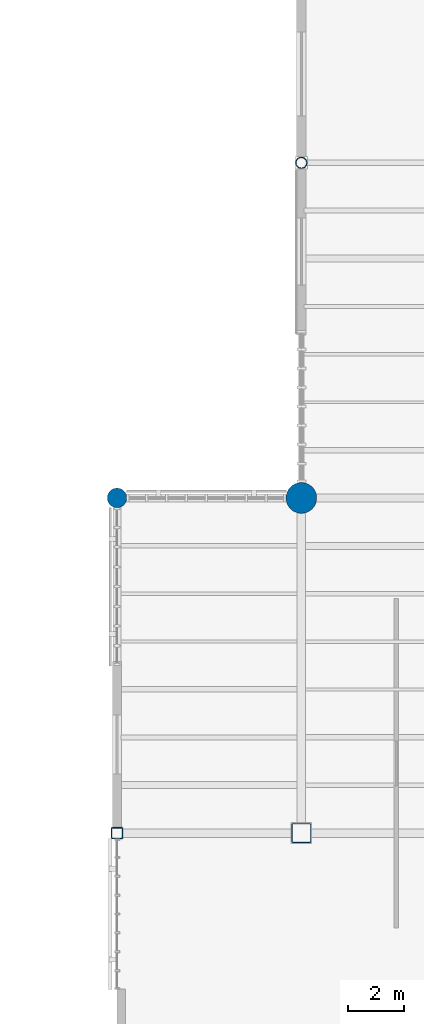
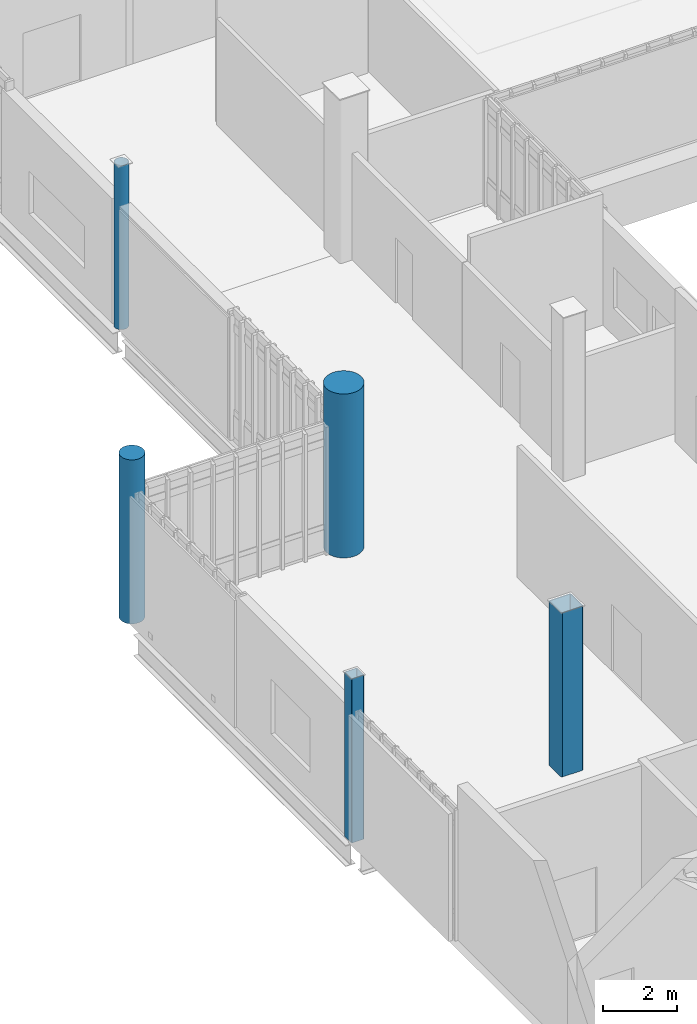
# One storey, part 3 of 135: 5 columns.
"""IFC4 building model written with IfcOpenShell, lengths in metres."""

from ifc_helpers import new_model, si_unit, direction, frame, origin, origin_2d, place, context, subcontext, project, spatial, hollow_rectangle, circle, hollow_circle, extrude, material, material_profile, profile_set, type_object, element, save


model = new_model("IFC4")

# Units and contexts
model_context = context("Model", 3, precision=1e-05, world=origin(), true_north=direction((0.0, 1.0)))
body_context = subcontext(model_context, "Body", "Model", "MODEL_VIEW")
ifc_project = project(units=[si_unit("LENGTHUNIT", "METRE"), si_unit("AREAUNIT", "SQUARE_METRE"), si_unit("VOLUMEUNIT", "CUBIC_METRE"), si_unit("PLANEANGLEUNIT", "RADIAN"), si_unit("MASSUNIT", "GRAM", prefix="KILO")], contexts=[model_context])

# Site, building, storey
site_placement = place(None, origin())
site = spatial("IfcSite", under=ifc_project, at=site_placement, CompositionType="ELEMENT")
building_placement = place(site_placement, origin())
building = spatial("IfcBuilding", under=site, at=building_placement, Name="Larkvane Passage Sports Hall", CompositionType="ELEMENT")
storey_placement = place(building_placement, frame((0.0, 0.0, 16.800048828125)))
storey = spatial("IfcBuildingStorey", under=building, at=storey_placement, Name="L03", CompositionType="ELEMENT", Elevation=16.800048828125)

# Columns
ifc_material_1 = material(Name="Concrete C50/60", Category="concrete")
ifc_material_profile_1 = material_profile(ifc_material_1, circle(Radius=0.550048828125, at=origin_2d()), Name="RC-CIR-1100")
ifc_profile_set_1 = profile_set([ifc_material_profile_1], Name="Concrete C50/60")
column_type_1 = type_object("IfcColumnType", Name="COL-CIR-1100", PredefinedType="COLUMN", material=ifc_profile_set_1)
column_1_placement = place(storey_placement, frame((124.60009765625, 51.60009765625, 0.0), z_axis=(0.0, 0.0, 1.0), x_axis=(1.0, 0.0, 0.0)))
element("IfcColumn", 1, at=column_1_placement, inside=storey, type_object=column_type_1, Name="Column 17/G L03", PredefinedType="COLUMN", context=body_context, shape_type="SweptSolid", body=[
    extrude(circle(Radius=0.550048828125, at=origin_2d()), origin(), (0.0, 0.0, 1.0), 5.39990234375),
])
ifc_material_2 = material(Name="Concrete C40/50", Category="concrete")
ifc_material_profile_2 = material_profile(ifc_material_2, circle(Radius=0.35009765625, at=origin_2d()), Name="RC-CIR-700")
ifc_profile_set_2 = profile_set([ifc_material_profile_2], Name="Concrete C40/50")
column_type_2 = type_object("IfcColumnType", Name="COL-CIR-700", PredefinedType="COLUMN", material=ifc_profile_set_2)
column_2_placement = place(storey_placement, frame((118.0, 51.60009765625, 0.0), z_axis=(0.0, 0.0, 1.0), x_axis=(1.0, 0.0, 0.0)))
element("IfcColumn", 2, at=column_2_placement, inside=storey, type_object=column_type_2, Name="Column 16/G L03", PredefinedType="COLUMN", context=body_context, shape_type="SweptSolid", body=[
    extrude(circle(Radius=0.35009765625, at=origin_2d()), origin(), (0.0, 0.0, 1.0), 5.39990234375),
])
ifc_material_3 = material(Name="Steel S460N", Category="steel")
ifc_material_profile_3 = material_profile(ifc_material_3, hollow_rectangle(XDim=0.699951171875, YDim=0.699951171875, WallThickness=0.028076171875, InnerFilletRadius=0.028076171875, OuterFilletRadius=0.055908203125, at=origin_2d()), Name="BOX-700x700x28")
ifc_profile_set_3 = profile_set([ifc_material_profile_3], Name="Steel S460N")
column_type_3 = type_object("IfcColumnType", Name="COL-STL-BOX700", PredefinedType="COLUMN", material=ifc_profile_set_3)
column_3_placement = place(storey_placement, frame((124.60009765625, 39.60009765625, 0.0), z_axis=(0.0, 0.0, 1.0), x_axis=(1.0, 0.0, 0.0)))
element("IfcColumn", 3, at=column_3_placement, inside=storey, type_object=column_type_3, Name="Column 17/F L03", PredefinedType="COLUMN", context=body_context, shape_type="SweptSolid", body=[
    extrude(hollow_rectangle(XDim=0.699951171875, YDim=0.699951171875, WallThickness=0.028076171875, InnerFilletRadius=0.028076171875, OuterFilletRadius=0.055908203125, at=origin_2d()), origin(), (0.0, 0.0, 1.0), 5.39990234375),
])
ifc_material_4 = material(Name="Steel S355JR", Category="steel")
ifc_material_profile_4 = material_profile(ifc_material_4, hollow_circle(Radius=0.203125, WallThickness=0.01611328125, at=origin_2d()), Name="CHS-406.4x16.0")
ifc_profile_set_4 = profile_set([ifc_material_profile_4], Name="Steel S355JR")
column_type_4 = type_object("IfcColumnType", Name="COL-STL-CHS406", PredefinedType="COLUMN", material=ifc_profile_set_4)
column_4_placement = place(storey_placement, frame((124.60009765625, 63.60009765625, 0.0), z_axis=(0.0, 0.0, 1.0), x_axis=(1.0, 0.0, 0.0)))
element("IfcColumn", 4, at=column_4_placement, inside=storey, type_object=column_type_4, Name="Column 17/H L03", PredefinedType="COLUMN", context=body_context, shape_type="SweptSolid", body=[
    extrude(hollow_circle(Radius=0.203125, WallThickness=0.01611328125, at=origin_2d()), origin(), (0.0, 0.0, 1.0), 5.39990234375),
])
ifc_material_profile_5 = material_profile(ifc_material_3, hollow_rectangle(XDim=0.39990234375, YDim=0.39990234375, WallThickness=0.01904296875, InnerFilletRadius=0.01904296875, OuterFilletRadius=0.0380859375, at=origin_2d()), Name="SHS-400x400x19")
ifc_profile_set_5 = profile_set([ifc_material_profile_5], Name="Steel S460N")
column_type_5 = type_object("IfcColumnType", Name="COL-STL-SHS400", PredefinedType="COLUMN", material=ifc_profile_set_5)
column_5_placement = place(storey_placement, frame((118.0, 39.60009765625, 0.0), z_axis=(0.0, 0.0, 1.0), x_axis=(1.0, 0.0, 0.0)))
element("IfcColumn", 5, at=column_5_placement, inside=storey, type_object=column_type_5, Name="Column 16/F L03", PredefinedType="COLUMN", context=body_context, shape_type="SweptSolid", body=[
    extrude(hollow_rectangle(XDim=0.39990234375, YDim=0.39990234375, WallThickness=0.01904296875, InnerFilletRadius=0.01904296875, OuterFilletRadius=0.0380859375, at=origin_2d()), origin(), (0.0, 0.0, 1.0), 5.39990234375),
])

save(model, "model.ifc")
